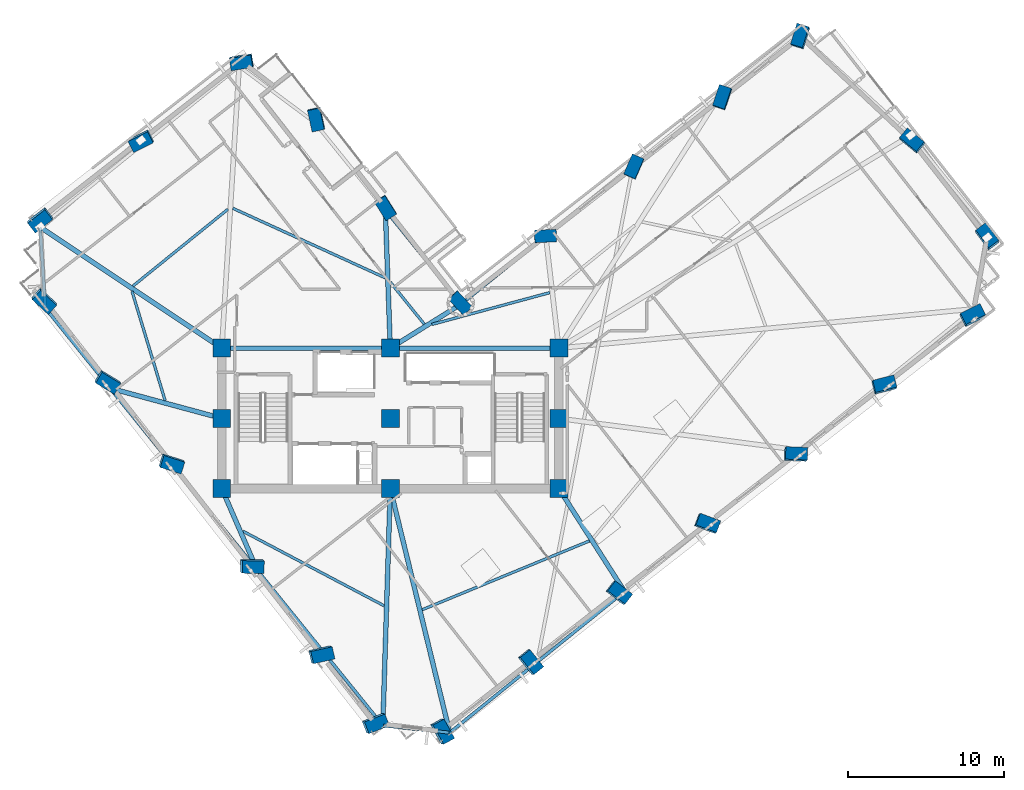
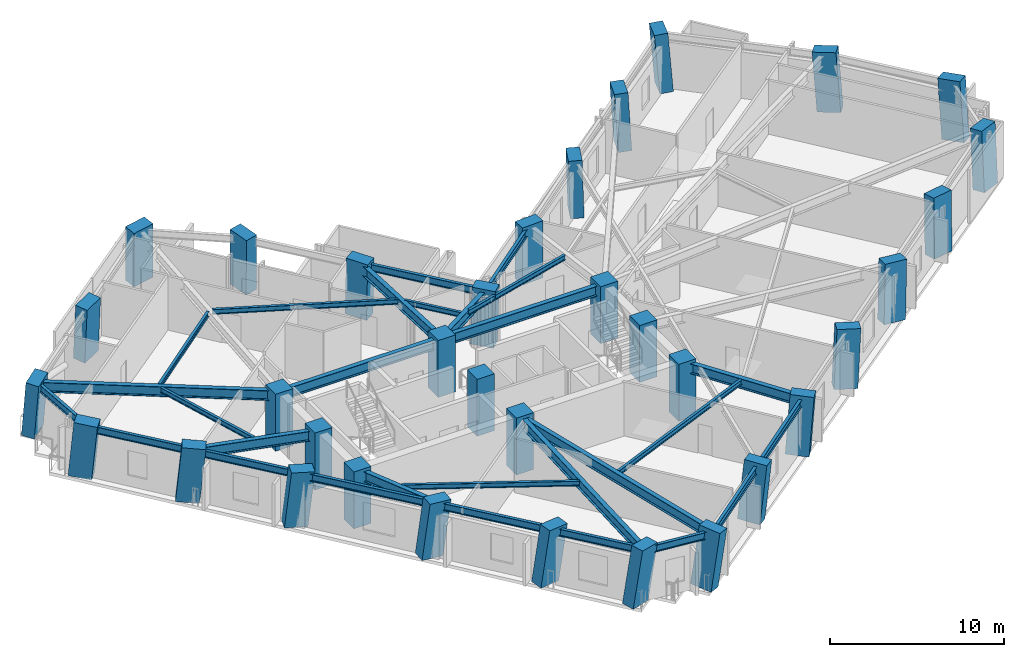
# One storey, part 1 of 14: 34 columns, 28 beams.
"""IFC4 building model written with IfcOpenShell, lengths in metres."""

from ifc_helpers import new_model, si_unit, direction, frame, origin, origin_2d, place, context, subcontext, project, spatial, rectangle, i_section, extrude, material, material_profile, profile_set, type_object, element, save


model = new_model("IFC4")

# Units and contexts
model_context = context("Model", 3, precision=1e-05, world=origin(), true_north=direction((0.0, 1.0)))
body_context = subcontext(model_context, "Body", "Model", "MODEL_VIEW")
ifc_project = project(units=[si_unit("LENGTHUNIT", "METRE"), si_unit("AREAUNIT", "SQUARE_METRE"), si_unit("VOLUMEUNIT", "CUBIC_METRE"), si_unit("PLANEANGLEUNIT", "RADIAN"), si_unit("MASSUNIT", "GRAM", prefix="KILO")], contexts=[model_context])

# Site, building, storey
site_placement = place(None, origin())
site = spatial("IfcSite", under=ifc_project, at=site_placement, CompositionType="ELEMENT")
building_placement = place(site_placement, origin())
building = spatial("IfcBuilding", under=site, at=building_placement, Name="Gaonmaruhae Medical Tower", CompositionType="ELEMENT")
storey_placement = place(building_placement, frame((0.0, 0.0, 185.800048828125)))
storey = spatial("IfcBuildingStorey", under=building, at=storey_placement, Name="L44", CompositionType="ELEMENT", Elevation=185.800048828125)

# Columns
ifc_material_1 = material(Name="Concrete C50/60", Category="concrete")
ifc_material_profile_1 = material_profile(ifc_material_1, rectangle(XDim=1.14990234375, YDim=1.14990234375, at=origin_2d()), Name="RC-1150x1150")
ifc_profile_set_1 = profile_set([ifc_material_profile_1], Name="Concrete C50/60")
column_type_1 = type_object("IfcColumnType", Name="CC-04 Zone 3 Core Column (RC-1150x1150)", PredefinedType="COLUMN", material=ifc_profile_set_1)
for number, where, z_axis, x_axis, name in (
    (1, (14.0, 7.800048828125, 0.0), (0.0, 0.0, 1.0), (1.0, 0.0, 0.0), "L44 Plumb Core Column CC11"),
    (2, (14.0, 12.300048828125, 0.0), (0.0, 0.0, 1.0), (1.0, 0.0, 0.0), "L44 Plumb Core Column CC12"),
    (3, (14.0, 16.800048828125, 0.0), (0.0, 0.0, 1.0), (1.0, 0.0, 0.0), "L44 Plumb Core Column CC13"),
    (4, (24.800048828125, 7.800048828125, 0.0), (0.0, 0.0, 1.0), (1.0, 0.0, 0.0), "L44 Plumb Core Column CC21"),
    (5, (24.800048828125, 12.300048828125, 0.0), (0.0, 0.0, 1.0), (1.0, 0.0, 0.0), "L44 Plumb Core Column CC22"),
    (6, (24.800048828125, 16.800048828125, 0.0), (0.0, 0.0, 1.0), (1.0, 0.0, 0.0), "L44 Plumb Core Column CC23"),
    (7, (35.60009765625, 7.800048828125, 0.0), (0.0, 0.0, 1.0), (1.0, 0.0, 0.0), "L44 Plumb Core Column CC31"),
    (8, (35.60009765625, 12.300048828125, 0.0), (0.0, 0.0, 1.0), (1.0, 0.0, 0.0), "L44 Plumb Core Column CC32"),
    (9, (35.60009765625, 16.800048828125, 0.0), (0.0, 0.0, 1.0), (1.0, 0.0, 0.0), "L44 Plumb Core Column CC33"),
):
    element("IfcColumn", number, at=place(storey_placement, frame(where, z_axis=z_axis, x_axis=x_axis)), inside=storey, type_object=column_type_1, Name=name, PredefinedType="COLUMN", context=body_context, shape_type="SweptSolid", body=[
        extrude(rectangle(XDim=1.14990234375, YDim=1.14990234375, at=origin_2d()), origin(), (0.0, 0.0, 1.0), 4.0),
    ])
ifc_material_2 = material(Name="Concrete C60/75", Category="concrete")
ifc_material_profile_2 = material_profile(ifc_material_2, rectangle(XDim=1.39990234375, YDim=0.800048828125, at=origin_2d()), Name="RC-1400x800")
ifc_profile_set_2 = profile_set([ifc_material_profile_2], Name="Concrete C60/75")
column_type_2 = type_object("IfcColumnType", Name="TC-02 Mid Raking Tube Pier Column (RC-1400x800)", PredefinedType="COLUMN", material=ifc_profile_set_2)
column_1_placement = place(storey_placement, frame((28.0712890625, -7.75537109375, 0.001708984375), z_axis=(0.133885022246, -0.021608025742, 0.990761269954), x_axis=(-0.476627025458, 0.875131619925, 0.08349446934)))
element("IfcColumn", 10, at=column_1_placement, inside=storey, type_object=column_type_2, Name="L44 Perimeter Tube Column S01", PredefinedType="COLUMN", context=body_context, shape_type="SweptSolid", body=[
    extrude(rectangle(XDim=1.39990234375, YDim=0.800048828125, at=origin_2d()), origin(), (0.0, 0.0, 1.0), 4.03369140625),
])
column_2_placement = place(storey_placement, frame((33.744873046875, -3.322509765625, 0.001708984375), z_axis=(0.115777796746, 0.001517004674, 0.99327398057), x_axis=(-0.621792239977, 0.779931221147, 0.071286047611)))
element("IfcColumn", 11, at=column_2_placement, inside=storey, type_object=column_type_2, Name="L44 Perimeter Tube Column S02", PredefinedType="COLUMN", context=body_context, shape_type="SweptSolid", body=[
    extrude(rectangle(XDim=1.39990234375, YDim=0.800048828125, at=origin_2d()), origin(), (0.0, 0.0, 1.0), 4.0234375),
])
column_3_placement = place(storey_placement, frame((39.41845703125, 1.110107421875, 0.001708984375), z_axis=(0.09749301911, 0.024798723065, 0.994927200633), x_axis=(-0.787890755793, 0.612692690287, 0.061934031074)))
element("IfcColumn", 12, at=column_3_placement, inside=storey, type_object=column_type_2, Name="L44 Perimeter Tube Column S03", PredefinedType="COLUMN", context=body_context, shape_type="SweptSolid", body=[
    extrude(rectangle(XDim=1.39990234375, YDim=0.800048828125, at=origin_2d()), origin(), (0.0, 0.0, 1.0), 4.0166015625),
])
column_4_placement = place(storey_placement, frame((45.09228515625, 5.54296875, 0.001708984375), z_axis=(0.079077438494, 0.048115579884, 0.99570660824), x_axis=(-0.933302489934, 0.35454015697, 0.056988940849)))
element("IfcColumn", 13, at=column_4_placement, inside=storey, type_object=column_type_2, Name="L44 Perimeter Tube Column S04", PredefinedType="COLUMN", context=body_context, shape_type="SweptSolid", body=[
    extrude(rectangle(XDim=1.39990234375, YDim=0.800048828125, at=origin_2d()), origin(), (0.0, 0.0, 1.0), 4.013671875),
])
column_5_placement = place(storey_placement, frame((50.765869140625, 9.975830078125, 0.001708984375), z_axis=(0.060579626356, 0.071345282847, 0.995610345208), x_axis=(-0.997420646778, 0.042797849561, 0.057622890015)))
element("IfcColumn", 14, at=column_5_placement, inside=storey, type_object=column_type_2, Name="L44 Perimeter Tube Column S05", PredefinedType="COLUMN", context=body_context, shape_type="SweptSolid", body=[
    extrude(rectangle(XDim=1.39990234375, YDim=0.800048828125, at=origin_2d()), origin(), (0.0, 0.0, 1.0), 4.013916015625),
])
column_6_placement = place(storey_placement, frame((56.439453125, 14.40869140625, 0.001708984375), z_axis=(0.042048339498, 0.094487236879, 0.994637672327), x_axis=(-0.968910525672, -0.239077872553, 0.063672318137)))
element("IfcColumn", 15, at=column_6_placement, inside=storey, type_object=column_type_2, Name="L44 Perimeter Tube Column S06", PredefinedType="COLUMN", context=body_context, shape_type="SweptSolid", body=[
    extrude(rectangle(XDim=1.39990234375, YDim=0.800048828125, at=origin_2d()), origin(), (0.0, 0.0, 1.0), 4.017822265625),
])
column_7_placement = place(storey_placement, frame((62.113037109375, 18.84130859375, 0.001708984375), z_axis=(0.023593038341, 0.117540638318, 0.992787775351), x_axis=(-0.892887165207, -0.444190045794, 0.07380862704)))
element("IfcColumn", 16, at=column_7_placement, inside=storey, type_object=column_type_2, Name="L44 Perimeter Tube Column S07", PredefinedType="COLUMN", context=body_context, shape_type="SweptSolid", body=[
    extrude(rectangle(XDim=1.39990234375, YDim=0.800048828125, at=origin_2d()), origin(), (0.0, 0.0, 1.0), 4.025390625),
])
column_8_placement = place(storey_placement, frame((63.0537109375, 23.890869140625, 0.001708984375), z_axis=(0.002728815799, 0.121220061825, 0.992621906959), x_axis=(0.597901768474, -0.795854423089, 0.095546912589)))
element("IfcColumn", 17, at=column_8_placement, inside=storey, type_object=column_type_2, Name="L44 Perimeter Tube Column E01", PredefinedType="COLUMN", context=body_context, shape_type="SweptSolid", body=[
    extrude(rectangle(XDim=1.39990234375, YDim=0.800048828125, at=origin_2d()), origin(), (0.0, 0.0, 1.0), 4.026123046875),
])
column_9_placement = place(storey_placement, frame((58.25146484375, 30.037353515625, 0.001708984375), z_axis=(-0.02242056414, 0.101469761824, 0.994585946884), x_axis=(0.770257272123, -0.632454034079, 0.081887908261)))
element("IfcColumn", 18, at=column_9_placement, inside=storey, type_object=column_type_2, Name="L44 Perimeter Tube Column E02", PredefinedType="COLUMN", context=body_context, shape_type="SweptSolid", body=[
    extrude(rectangle(XDim=1.39990234375, YDim=0.800048828125, at=origin_2d()), origin(), (0.0, 0.0, 1.0), 4.01806640625),
])
column_10_placement = place(storey_placement, frame((51.097412109375, 36.757568359375, 0.001708984375), z_axis=(-0.049963487917, 0.071811103218, 0.99616605811), x_axis=(-0.296576647091, -0.953489085694, 0.05385959398)))
element("IfcColumn", 19, at=column_10_placement, inside=storey, type_object=column_type_2, Name="L44 Perimeter Tube Column E03", PredefinedType="COLUMN", context=body_context, shape_type="SweptSolid", body=[
    extrude(rectangle(XDim=1.39990234375, YDim=0.800048828125, at=origin_2d()), origin(), (0.0, 0.0, 1.0), 4.01171875),
])
column_11_placement = place(storey_placement, frame((46.09375, 32.84814453125, 0.001708984375), z_axis=(-0.033780379415, 0.051402274092, 0.998106553523), x_axis=(-0.321055026499, -0.946303148336, 0.037868475128)))
element("IfcColumn", 20, at=column_11_placement, inside=storey, type_object=column_type_2, Name="L44 Perimeter Tube Column EN01", PredefinedType="COLUMN", context=body_context, shape_type="SweptSolid", body=[
    extrude(rectangle(XDim=1.39990234375, YDim=0.800048828125, at=origin_2d()), origin(), (0.0, 0.0, 1.0), 4.00390625),
])
column_12_placement = place(storey_placement, frame((40.419921875, 28.415283203125, 0.001708984375), z_axis=(-0.01520389404, 0.02814857491, 0.999488118657), x_axis=(-0.400901487538, -0.91590941177, 0.019696363152)))
element("IfcColumn", 21, at=column_12_placement, inside=storey, type_object=column_type_2, Name="L44 Perimeter Tube Column EN02", PredefinedType="COLUMN", context=body_context, shape_type="SweptSolid", body=[
    extrude(rectangle(XDim=1.39990234375, YDim=0.800048828125, at=origin_2d()), origin(), (0.0, 0.0, 1.0), 3.998291015625),
])
column_13_placement = place(storey_placement, frame((34.746337890625, 23.982421875, 0.001708984375), z_axis=(0.003359952663, 0.004765023776, 0.999983002489), x_axis=(-0.99879049006, -0.049037451332, 0.003589614403)))
element("IfcColumn", 22, at=column_13_placement, inside=storey, type_object=column_type_2, Name="L44 Perimeter Tube Column EN03", PredefinedType="COLUMN", context=body_context, shape_type="SweptSolid", body=[
    extrude(rectangle(XDim=1.39990234375, YDim=0.800048828125, at=origin_2d()), origin(), (0.0, 0.0, 1.0), 3.996337890625),
])
column_14_placement = place(storey_placement, frame((29.269775390625, 19.70361328125, 0.001708984375), z_axis=(0.021251539031, -0.0177706835, 0.999616213802), x_axis=(-0.682948414235, 0.729948927181, 0.027495948803)))
element("IfcColumn", 23, at=column_14_placement, inside=storey, type_object=column_type_2, Name="L44 Perimeter Tube Column KN01", PredefinedType="COLUMN", context=body_context, shape_type="SweptSolid", body=[
    extrude(rectangle(XDim=1.39990234375, YDim=0.800048828125, at=origin_2d()), origin(), (0.0, 0.0, 1.0), 3.997802734375),
])
column_15_placement = place(storey_placement, frame((24.498291015625, 25.810546875, 0.001708984375), z_axis=(-0.003845969984, -0.037727134127, 0.99928067722), x_axis=(-0.532627653931, 0.845821943945, 0.029883463813)))
element("IfcColumn", 24, at=column_15_placement, inside=storey, type_object=column_type_2, Name="L44 Perimeter Tube Column NE01", PredefinedType="COLUMN", context=body_context, shape_type="SweptSolid", body=[
    extrude(rectangle(XDim=1.39990234375, YDim=0.800048828125, at=origin_2d()), origin(), (0.0, 0.0, 1.0), 3.999267578125),
])
column_16_placement = place(storey_placement, frame((20.0654296875, 31.484375, 0.001708984375), z_axis=(-0.027193352358, -0.05627682562, 0.998044808857), x_axis=(-0.212163059009, 0.975992323481, 0.049252623267)))
element("IfcColumn", 25, at=column_16_placement, inside=storey, type_object=column_type_2, Name="L44 Perimeter Tube Column NE02", PredefinedType="COLUMN", context=body_context, shape_type="SweptSolid", body=[
    extrude(rectangle(XDim=1.39990234375, YDim=0.800048828125, at=origin_2d()), origin(), (0.0, 0.0, 1.0), 4.004150390625),
])
column_17_placement = place(storey_placement, frame((15.28173828125, 35.170654296875, 0.001708984375), z_axis=(-0.0421758545, -0.07601391381, 0.996214375626), x_axis=(0.986621482124, 0.153992480505, 0.053519781005)))
element("IfcColumn", 26, at=column_17_placement, inside=storey, type_object=column_type_2, Name="L44 Perimeter Tube Column N01", PredefinedType="COLUMN", context=body_context, shape_type="SweptSolid", body=[
    extrude(rectangle(XDim=1.39990234375, YDim=0.800048828125, at=origin_2d()), origin(), (0.0, 0.0, 1.0), 4.011474609375),
])
column_18_placement = place(storey_placement, frame((8.820068359375, 30.1220703125, 0.001708984375), z_axis=(-0.021082622419, -0.102314513413, 0.994528663929), x_axis=(0.895367194922, 0.440659996949, 0.064314487843)))
element("IfcColumn", 27, at=column_18_placement, inside=storey, type_object=column_type_2, Name="L44 Perimeter Tube Column N02", PredefinedType="COLUMN", context=body_context, shape_type="SweptSolid", body=[
    extrude(rectangle(XDim=1.39990234375, YDim=0.800048828125, at=origin_2d()), origin(), (0.0, 0.0, 1.0), 4.018310546875),
])
column_19_placement = place(storey_placement, frame((2.358642578125, 25.07373046875, 0.001708984375), z_axis=(-0.000121170166, -0.128440376185, 0.991717225364), x_axis=(0.788586404659, 0.609818412334, 0.079075826682)))
element("IfcColumn", 28, at=column_19_placement, inside=storey, type_object=column_type_2, Name="L44 Perimeter Tube Column N03", PredefinedType="COLUMN", context=body_context, shape_type="SweptSolid", body=[
    extrude(rectangle(XDim=1.39990234375, YDim=0.800048828125, at=origin_2d()), origin(), (0.0, 0.0, 1.0), 4.02978515625),
])
column_20_placement = place(storey_placement, frame((2.611083984375, 19.877685546875, 0.001708984375), z_axis=(0.02126385017, -0.1272196164, 0.991646619456), x_axis=(-0.736060871169, 0.669240971361, 0.101641114646)))
element("IfcColumn", 29, at=column_20_placement, inside=storey, type_object=column_type_2, Name="L44 Perimeter Tube Column W01", PredefinedType="COLUMN", context=body_context, shape_type="SweptSolid", body=[
    extrude(rectangle(XDim=1.39990234375, YDim=0.800048828125, at=origin_2d()), origin(), (0.0, 0.0, 1.0), 4.030029296875),
])
column_21_placement = place(storey_placement, frame((6.674560546875, 14.6767578125, 0.001708984375), z_axis=(0.042584341285, -0.110464509231, 0.992967353984), x_axis=(-0.855908120643, 0.508643296919, 0.093291401086)))
element("IfcColumn", 30, at=column_21_placement, inside=storey, type_object=column_type_2, Name="L44 Perimeter Tube Column W02", PredefinedType="COLUMN", context=body_context, shape_type="SweptSolid", body=[
    extrude(rectangle(XDim=1.39990234375, YDim=0.800048828125, at=origin_2d()), origin(), (0.0, 0.0, 1.0), 4.024658203125),
])
column_22_placement = place(storey_placement, frame((10.768798828125, 9.4365234375, 0.001708984375), z_axis=(0.064036045938, -0.093474417768, 0.993560223662), x_axis=(-0.950394823337, 0.297955923307, 0.089285763365)))
element("IfcColumn", 31, at=column_22_placement, inside=storey, type_object=column_type_2, Name="L44 Perimeter Tube Column W03", PredefinedType="COLUMN", context=body_context, shape_type="SweptSolid", body=[
    extrude(rectangle(XDim=1.39990234375, YDim=0.800048828125, at=origin_2d()), origin(), (0.0, 0.0, 1.0), 4.022216796875),
])
column_23_placement = place(storey_placement, frame((15.909423828125, 2.856689453125, 0.001708984375), z_axis=(0.090956710713, -0.072085772066, 0.993242426723), x_axis=(-0.99580257028, 0.003635775748, 0.091455028068)))
element("IfcColumn", 32, at=column_23_placement, inside=storey, type_object=column_type_2, Name="L44 Perimeter Tube Column W04", PredefinedType="COLUMN", context=body_context, shape_type="SweptSolid", body=[
    extrude(rectangle(XDim=1.39990234375, YDim=0.800048828125, at=origin_2d()), origin(), (0.0, 0.0, 1.0), 4.0234375),
])
column_24_placement = place(storey_placement, frame((20.34228515625, -2.81689453125, 0.001708984375), z_axis=(0.113997115459, -0.053574401949, 0.992035503963), x_axis=(-0.969360000494, -0.224698235339, 0.099256699914)))
element("IfcColumn", 33, at=column_24_placement, inside=storey, type_object=column_type_2, Name="L44 Perimeter Tube Column W05", PredefinedType="COLUMN", context=body_context, shape_type="SweptSolid", body=[
    extrude(rectangle(XDim=1.39990234375, YDim=0.800048828125, at=origin_2d()), origin(), (0.0, 0.0, 1.0), 4.0283203125),
])
column_25_placement = place(storey_placement, frame((23.7900390625, -7.229736328125, 0.001708984375), z_axis=(0.131852009983, -0.039210694112, 0.990493598632), x_axis=(-0.923630965507, -0.367635347627, 0.108397835456)))
element("IfcColumn", 34, at=column_25_placement, inside=storey, type_object=column_type_2, Name="L44 Perimeter Tube Column W06", PredefinedType="COLUMN", context=body_context, shape_type="SweptSolid", body=[
    extrude(rectangle(XDim=1.39990234375, YDim=0.800048828125, at=origin_2d()), origin(), (0.0, 0.0, 1.0), 4.03466796875),
])

# Beams
ifc_material_3 = material(Name="Steel SM355", Category="steel")
ifc_material_profile_3 = material_profile(ifc_material_3, i_section(OverallWidth=0.175048828125, OverallDepth=0.35009765625, WebThickness=0.007080078125, FlangeThickness=0.010986328125, FilletRadius=0.012939453125, at=origin_2d()), Name="H-350x175x7x11")
ifc_profile_set_3 = profile_set([ifc_material_profile_3], Name="Steel SM355")
beam_type_1 = type_object("IfcBeamType", Name="FJ-02 Upper Zone Ward Floor Joist (H-350x175x7x11)", PredefinedType="JOIST", material=ifc_profile_set_3)
beam_1_placement = place(storey_placement, frame((26.8515625, 0.038818359375, 3.60498046875), z_axis=(0.924769779235, 0.380527075795, 0.0), x_axis=(-0.380527075795, 0.924769779235, 0.0)))
element("IfcBeam", 35, at=beam_1_placement, inside=storey, type_object=beam_type_1, Name="L44 Secondary Floor Joist FJ01", PredefinedType="JOIST", context=body_context, shape_type="SweptSolid", body=[
    extrude(i_section(OverallWidth=0.175048828125, OverallDepth=0.35009765625, WebThickness=0.007080078125, FlangeThickness=0.010986328125, FilletRadius=0.012939453125, at=origin_2d()), origin(), (0.0, 0.0, 1.0), 11.578125),
])
beam_2_placement = place(storey_placement, frame((35.027587890625, 20.35986328125, 3.60498046875), z_axis=(-0.965517890764, -0.260336710079, 0.0), x_axis=(0.260336710079, -0.965517890764, 0.0)))
element("IfcBeam", 36, at=beam_2_placement, inside=storey, type_object=beam_type_1, Name="L44 Secondary Floor Joist FJ07", PredefinedType="JOIST", context=body_context, shape_type="SweptSolid", body=[
    extrude(i_section(OverallWidth=0.175048828125, OverallDepth=0.35009765625, WebThickness=0.007080078125, FlangeThickness=0.010986328125, FilletRadius=0.012939453125, at=origin_2d()), origin(), (0.0, 0.0, 1.0), 7.833251953125),
])
beam_3_placement = place(storey_placement, frame((26.978515625, 18.338623046875, 3.60498046875), z_axis=(-0.628625967077, 0.777707781571, 0.0), x_axis=(-0.777707781571, -0.628625967077, 0.0)))
element("IfcBeam", 37, at=beam_3_placement, inside=storey, type_object=beam_type_1, Name="L44 Secondary Floor Joist FJ08", PredefinedType="JOIST", context=body_context, shape_type="SweptSolid", body=[
    extrude(i_section(OverallWidth=0.175048828125, OverallDepth=0.35009765625, WebThickness=0.007080078125, FlangeThickness=0.010986328125, FilletRadius=0.012939453125, at=origin_2d()), origin(), (0.0, 0.0, 1.0), 3.4619140625),
])
beam_4_placement = place(storey_placement, frame((24.4833984375, 21.302001953125, 3.60498046875), z_axis=(-0.909723453915, 0.415214688319, 0.0), x_axis=(-0.415214688319, -0.909723453915, 0.0)))
element("IfcBeam", 38, at=beam_4_placement, inside=storey, type_object=beam_type_1, Name="L44 Secondary Floor Joist FJ09", PredefinedType="JOIST", context=body_context, shape_type="SweptSolid", body=[
    extrude(i_section(OverallWidth=0.175048828125, OverallDepth=0.35009765625, WebThickness=0.007080078125, FlangeThickness=0.010986328125, FilletRadius=0.012939453125, at=origin_2d()), origin(), (0.0, 0.0, 1.0), 10.745361328125),
])
beam_5_placement = place(storey_placement, frame((14.393310546875, 25.701171875, 3.60498046875), z_axis=(-0.77768485796, -0.628654326081, 0.0), x_axis=(0.628654326081, -0.77768485796, 0.0)))
element("IfcBeam", 39, at=beam_5_placement, inside=storey, type_object=beam_type_1, Name="L44 Secondary Floor Joist FJ10", PredefinedType="JOIST", context=body_context, shape_type="SweptSolid", body=[
    extrude(i_section(OverallWidth=0.175048828125, OverallDepth=0.35009765625, WebThickness=0.007080078125, FlangeThickness=0.010986328125, FilletRadius=0.012939453125, at=origin_2d()), origin(), (0.0, 0.0, 1.0), 7.827392578125),
])
beam_6_placement = place(storey_placement, frame((8.249267578125, 20.4462890625, 3.60498046875), z_axis=(0.289758356127, -0.957099835469, 0.0), x_axis=(0.957099835469, 0.289758356127, 0.0)))
element("IfcBeam", 40, at=beam_6_placement, inside=storey, type_object=beam_type_1, Name="L44 Secondary Floor Joist FJ11", PredefinedType="JOIST", context=body_context, shape_type="SweptSolid", body=[
    extrude(i_section(OverallWidth=0.175048828125, OverallDepth=0.35009765625, WebThickness=0.007080078125, FlangeThickness=0.010986328125, FilletRadius=0.012939453125, at=origin_2d()), origin(), (0.0, 0.0, 1.0), 7.3193359375),
])
beam_7_placement = place(storey_placement, frame((15.35546875, 5.068359375, 3.60498046875), z_axis=(0.884237051664, -0.467038367229, 0.0), x_axis=(0.467038367229, 0.884237051664, 0.0)))
element("IfcBeam", 41, at=beam_7_placement, inside=storey, type_object=beam_type_1, Name="L44 Secondary Floor Joist FJ13", PredefinedType="JOIST", context=body_context, shape_type="SweptSolid", body=[
    extrude(i_section(OverallWidth=0.175048828125, OverallDepth=0.35009765625, WebThickness=0.007080078125, FlangeThickness=0.010986328125, FilletRadius=0.012939453125, at=origin_2d()), origin(), (0.0, 0.0, 1.0), 10.23779296875),
])
ifc_material_4 = material(Name="Steel SM420", Category="steel")
ifc_material_profile_4 = material_profile(ifc_material_4, i_section(OverallWidth=0.300048828125, OverallDepth=0.699951171875, WebThickness=0.012939453125, FlangeThickness=0.02392578125, FilletRadius=0.01806640625, at=origin_2d()), Name="H-700x300x13x24")
ifc_profile_set_4 = profile_set([ifc_material_profile_4], Name="Steel SM420")
beam_type_2 = type_object("IfcBeamType", Name="PG-03 Zone 3 Radial Floor Girder (H-700x300x13x24)", PredefinedType="BEAM", material=ifc_profile_set_4)
for number, where, z_axis, x_axis, name in (
    (42, (14.050048828125, 16.800048828125, 3.429931640625), (1.0, 0.0, 0.0), (0.0, 1.0, 0.0), "L44 Beam BM-L44-CG-N1"),
    (43, (24.85009765625, 16.800048828125, 3.429931640625), (1.0, 0.0, 0.0), (0.0, 1.0, 0.0), "L44 Beam BM-L44-CG-N2"),
):
    element("IfcBeam", number, at=place(storey_placement, frame(where, z_axis=z_axis, x_axis=x_axis)), inside=storey, type_object=beam_type_2, Name=name, PredefinedType="BEAM", context=body_context, shape_type="SweptSolid", body=[
        extrude(i_section(OverallWidth=0.300048828125, OverallDepth=0.699951171875, WebThickness=0.012939453125, FlangeThickness=0.02392578125, FilletRadius=0.01806640625, at=origin_2d()), origin(), (0.0, 0.0, 1.0), 10.699951171875),
    ])
beam_8_placement = place(storey_placement, frame((24.811767578125, 7.75146484375, 3.429931640625), z_axis=(0.236736634149, -0.971573860317, 0.0), x_axis=(0.971573860317, 0.236736634149, 0.0)))
element("IfcBeam", 44, at=beam_8_placement, inside=storey, type_object=beam_type_2, Name="L44 Radial Primary Girder S01", PredefinedType="BEAM", context=body_context, shape_type="SweptSolid", body=[
    extrude(i_section(OverallWidth=0.300048828125, OverallDepth=0.699951171875, WebThickness=0.012939453125, FlangeThickness=0.02392578125, FilletRadius=0.01806640625, at=origin_2d()), origin(), (0.0, 0.0, 1.0), 16.000244140625),
])
beam_9_placement = place(storey_placement, frame((35.626953125, 7.7578125, 3.429931640625), z_axis=(0.538386781891, -0.84269785397, 0.0), x_axis=(0.84269785397, 0.538386781891, 0.0)))
element("IfcBeam", 45, at=beam_9_placement, inside=storey, type_object=beam_type_2, Name="L44 Radial Primary Girder S03", PredefinedType="BEAM", context=body_context, shape_type="SweptSolid", body=[
    extrude(i_section(OverallWidth=0.300048828125, OverallDepth=0.699951171875, WebThickness=0.012939453125, FlangeThickness=0.02392578125, FilletRadius=0.01806640625, at=origin_2d()), origin(), (0.0, 0.0, 1.0), 7.72021484375),
])
beam_10_placement = place(storey_placement, frame((24.842529296875, 16.826416015625, 3.429931640625), z_axis=(0.849174017324, 0.528113139679, 0.0), x_axis=(-0.528113139679, 0.849174017324, 0.0)))
element("IfcBeam", 46, at=beam_10_placement, inside=storey, type_object=beam_type_2, Name="L44 Radial Primary Girder KN01", PredefinedType="BEAM", context=body_context, shape_type="SweptSolid", body=[
    extrude(i_section(OverallWidth=0.300048828125, OverallDepth=0.699951171875, WebThickness=0.012939453125, FlangeThickness=0.02392578125, FilletRadius=0.01806640625, at=origin_2d()), origin(), (0.0, 0.0, 1.0), 5.263671875),
])
beam_11_placement = place(storey_placement, frame((24.798095703125, 16.849853515625, 3.429931640625), z_axis=(-0.0357630608, 0.999360297131, 0.0), x_axis=(-0.999360297131, -0.0357630608, 0.0)))
element("IfcBeam", 47, at=beam_11_placement, inside=storey, type_object=beam_type_2, Name="L44 Radial Primary Girder NE01", PredefinedType="BEAM", context=body_context, shape_type="SweptSolid", body=[
    extrude(i_section(OverallWidth=0.300048828125, OverallDepth=0.699951171875, WebThickness=0.012939453125, FlangeThickness=0.02392578125, FilletRadius=0.01806640625, at=origin_2d()), origin(), (0.0, 0.0, 1.0), 8.765380859375),
])
beam_12_placement = place(storey_placement, frame((13.95849609375, 16.82763671875, 3.429931640625), z_axis=(-0.832226035348, 0.554436494189, 0.0), x_axis=(-0.554436494189, -0.832226035348, 0.0)))
element("IfcBeam", 48, at=beam_12_placement, inside=storey, type_object=beam_type_2, Name="L44 Radial Primary Girder N03", PredefinedType="BEAM", context=body_context, shape_type="SweptSolid", body=[
    extrude(i_section(OverallWidth=0.300048828125, OverallDepth=0.699951171875, WebThickness=0.012939453125, FlangeThickness=0.02392578125, FilletRadius=0.01806640625, at=origin_2d()), origin(), (0.0, 0.0, 1.0), 13.888671875),
])
beam_13_placement = place(storey_placement, frame((13.95166015625, 12.31298828125, 3.429931640625), z_axis=(-0.965411346747, 0.260731531603, 0.0), x_axis=(-0.260731531603, -0.965411346747, 0.0)))
element("IfcBeam", 49, at=beam_13_placement, inside=storey, type_object=beam_type_2, Name="L44 Radial Primary Girder W02", PredefinedType="BEAM", context=body_context, shape_type="SweptSolid", body=[
    extrude(i_section(OverallWidth=0.300048828125, OverallDepth=0.699951171875, WebThickness=0.012939453125, FlangeThickness=0.02392578125, FilletRadius=0.01806640625, at=origin_2d()), origin(), (0.0, 0.0, 1.0), 7.310302734375),
])
beam_14_placement = place(storey_placement, frame((14.02001953125, 7.754150390625, 3.429931640625), z_axis=(0.398727703624, -0.917069363987, 0.0), x_axis=(0.917069363987, 0.398727703624, 0.0)))
element("IfcBeam", 50, at=beam_14_placement, inside=storey, type_object=beam_type_2, Name="L44 Radial Primary Girder W04", PredefinedType="BEAM", context=body_context, shape_type="SweptSolid", body=[
    extrude(i_section(OverallWidth=0.300048828125, OverallDepth=0.699951171875, WebThickness=0.012939453125, FlangeThickness=0.02392578125, FilletRadius=0.01806640625, at=origin_2d()), origin(), (0.0, 0.0, 1.0), 5.60693359375),
])
beam_15_placement = place(storey_placement, frame((24.79833984375, 7.75, 3.429931640625), z_axis=(-0.031440759218, -0.999505617123, 0.0), x_axis=(0.999505617123, -0.031440759218, 0.0)))
element("IfcBeam", 51, at=beam_15_placement, inside=storey, type_object=beam_type_2, Name="L44 Radial Primary Girder W06", PredefinedType="BEAM", context=body_context, shape_type="SweptSolid", body=[
    extrude(i_section(OverallWidth=0.300048828125, OverallDepth=0.699951171875, WebThickness=0.012939453125, FlangeThickness=0.02392578125, FilletRadius=0.01806640625, at=origin_2d()), origin(), (0.0, 0.0, 1.0), 15.095458984375),
])
ifc_material_profile_5 = material_profile(ifc_material_3, i_section(OverallWidth=0.199951171875, OverallDepth=0.5, WebThickness=0.010009765625, FlangeThickness=0.01611328125, FilletRadius=0.012939453125, at=origin_2d()), Name="H-500x200x10x16")
ifc_profile_set_5 = profile_set([ifc_material_profile_5], Name="Steel SM355")
beam_type_3 = type_object("IfcBeamType", Name="SP-02 Upper Perimeter Spandrel Beam (H-500x200x10x16)", PredefinedType="SPANDREL", material=ifc_profile_set_5)
for number, where, z_axis, x_axis, name in (
    (52, (28.642578125, -7.8173828125, 3.530029296875), (0.777710988942, 0.628621999042, 0.0), (-0.628621999042, 0.777710988942, 0.0), "L44 Perimeter Spandrel Beam S01-S02"),
    (53, (34.241943359375, -3.291259765625, 3.530029296875), (0.777694225559, 0.628642737596, 0.0), (-0.628642737596, 0.777694225559, 0.0), "L44 Perimeter Spandrel Beam S02-S03"),
):
    element("IfcBeam", number, at=place(storey_placement, frame(where, z_axis=z_axis, x_axis=x_axis)), inside=storey, type_object=beam_type_3, Name=name, PredefinedType="SPANDREL", context=body_context, shape_type="SweptSolid", body=[
        extrude(i_section(OverallWidth=0.199951171875, OverallDepth=0.5, WebThickness=0.010009765625, FlangeThickness=0.01611328125, FilletRadius=0.012939453125, at=origin_2d()), origin(), (0.0, 0.0, 1.0), 7.1201171875),
    ])
beam_16_placement = place(storey_placement, frame((34.728515625, 23.976318359375, 3.530029296875), z_axis=(-0.777693239664, -0.628643957246, 0.0), x_axis=(0.628643957246, -0.777693239664, 0.0)))
element("IfcBeam", 54, at=beam_16_placement, inside=storey, type_object=beam_type_3, Name="L44 Perimeter Spandrel Beam EN03-KN01", PredefinedType="SPANDREL", context=body_context, shape_type="SweptSolid", body=[
    extrude(i_section(OverallWidth=0.199951171875, OverallDepth=0.5, WebThickness=0.010009765625, FlangeThickness=0.01611328125, FilletRadius=0.012939453125, at=origin_2d()), origin(), (0.0, 0.0, 1.0), 6.86962890625),
])
beam_17_placement = place(storey_placement, frame((29.32958984375, 19.66357421875, 3.530029296875), z_axis=(-0.628634912412, 0.777700550917, 0.0), x_axis=(-0.777700550917, -0.628634912412, 0.0)))
element("IfcBeam", 55, at=beam_17_placement, inside=storey, type_object=beam_type_3, Name="L44 Perimeter Spandrel Beam KN01-NE01", PredefinedType="SPANDREL", context=body_context, shape_type="SweptSolid", body=[
    extrude(i_section(OverallWidth=0.199951171875, OverallDepth=0.5, WebThickness=0.010009765625, FlangeThickness=0.01611328125, FilletRadius=0.012939453125, at=origin_2d()), origin(), (0.0, 0.0, 1.0), 7.669921875),
])
beam_18_placement = place(storey_placement, frame((2.36083984375, 24.515869140625, 3.530029296875), z_axis=(0.065108026867, -0.997878221447, 0.0), x_axis=(0.997878221447, 0.065108026867, 0.0)))
element("IfcBeam", 56, at=beam_18_placement, inside=storey, type_object=beam_type_3, Name="L44 Perimeter Spandrel Beam N03-W01", PredefinedType="SPANDREL", context=body_context, shape_type="SweptSolid", body=[
    extrude(i_section(OverallWidth=0.199951171875, OverallDepth=0.5, WebThickness=0.010009765625, FlangeThickness=0.01611328125, FilletRadius=0.012939453125, at=origin_2d()), origin(), (0.0, 0.0, 1.0), 5.122314453125),
])
beam_19_placement = place(storey_placement, frame((2.72216796875, 19.333740234375, 3.530029296875), z_axis=(0.628632534742, -0.777702472841, 0.0), x_axis=(0.777702472841, 0.628632534742, 0.0)))
element("IfcBeam", 57, at=beam_19_placement, inside=storey, type_object=beam_type_3, Name="L44 Perimeter Spandrel Beam W01-W02", PredefinedType="SPANDREL", context=body_context, shape_type="SweptSolid", body=[
    extrude(i_section(OverallWidth=0.199951171875, OverallDepth=0.5, WebThickness=0.010009765625, FlangeThickness=0.01611328125, FilletRadius=0.012939453125, at=origin_2d()), origin(), (0.0, 0.0, 1.0), 6.52001953125),
])
beam_20_placement = place(storey_placement, frame((6.87109375, 14.200927734375, 3.530029296875), z_axis=(0.628625090736, -0.777708489922, 0.0), x_axis=(0.777708489922, 0.628625090736, 0.0)))
element("IfcBeam", 58, at=beam_20_placement, inside=storey, type_object=beam_type_3, Name="L44 Perimeter Spandrel Beam W02-W03", PredefinedType="SPANDREL", context=body_context, shape_type="SweptSolid", body=[
    extrude(i_section(OverallWidth=0.199951171875, OverallDepth=0.5, WebThickness=0.010009765625, FlangeThickness=0.01611328125, FilletRadius=0.012939453125, at=origin_2d()), origin(), (0.0, 0.0, 1.0), 6.570068359375),
])
beam_21_placement = place(storey_placement, frame((11.051513671875, 9.029296875, 3.530029296875), z_axis=(0.628643524003, -0.777693589873, 0.0), x_axis=(0.777693589873, 0.628643524003, 0.0)))
element("IfcBeam", 59, at=beam_21_placement, inside=storey, type_object=beam_type_3, Name="L44 Perimeter Spandrel Beam W03-W04", PredefinedType="SPANDREL", context=body_context, shape_type="SweptSolid", body=[
    extrude(i_section(OverallWidth=0.199951171875, OverallDepth=0.5, WebThickness=0.010009765625, FlangeThickness=0.01611328125, FilletRadius=0.012939453125, at=origin_2d()), origin(), (0.0, 0.0, 1.0), 8.270263671875),
])
beam_22_placement = place(storey_placement, frame((16.30078125, 2.535400390625, 3.530029296875), z_axis=(0.62863876281, -0.777697438528, 0.0), x_axis=(0.777697438528, 0.62863876281, 0.0)))
element("IfcBeam", 60, at=beam_22_placement, inside=storey, type_object=beam_type_3, Name="L44 Perimeter Spandrel Beam W04-W05", PredefinedType="SPANDREL", context=body_context, shape_type="SweptSolid", body=[
    extrude(i_section(OverallWidth=0.199951171875, OverallDepth=0.5, WebThickness=0.010009765625, FlangeThickness=0.01611328125, FilletRadius=0.012939453125, at=origin_2d()), origin(), (0.0, 0.0, 1.0), 7.119873046875),
])
beam_23_placement = place(storey_placement, frame((20.826904296875, -3.06396484375, 3.530029296875), z_axis=(0.628645895909, -0.777691672552, 0.0), x_axis=(0.777691672552, 0.628645895909, 0.0)))
element("IfcBeam", 61, at=beam_23_placement, inside=storey, type_object=beam_type_3, Name="L44 Perimeter Spandrel Beam W05-W06", PredefinedType="SPANDREL", context=body_context, shape_type="SweptSolid", body=[
    extrude(i_section(OverallWidth=0.199951171875, OverallDepth=0.5, WebThickness=0.010009765625, FlangeThickness=0.01611328125, FilletRadius=0.012939453125, at=origin_2d()), origin(), (0.0, 0.0, 1.0), 5.520263671875),
])
beam_24_placement = place(storey_placement, frame((24.362060546875, -7.39208984375, 3.530029296875), z_axis=(0.994427440869, -0.105423265204, 0.0), x_axis=(0.105423265204, 0.994427440869, 0.0)))
element("IfcBeam", 62, at=beam_24_placement, inside=storey, type_object=beam_type_3, Name="L44 Perimeter Spandrel Beam W06-S01", PredefinedType="SPANDREL", context=body_context, shape_type="SweptSolid", body=[
    extrude(i_section(OverallWidth=0.199951171875, OverallDepth=0.5, WebThickness=0.010009765625, FlangeThickness=0.01611328125, FilletRadius=0.012939453125, at=origin_2d()), origin(), (0.0, 0.0, 1.0), 4.2333984375),
])

save(model, "model.ifc")
